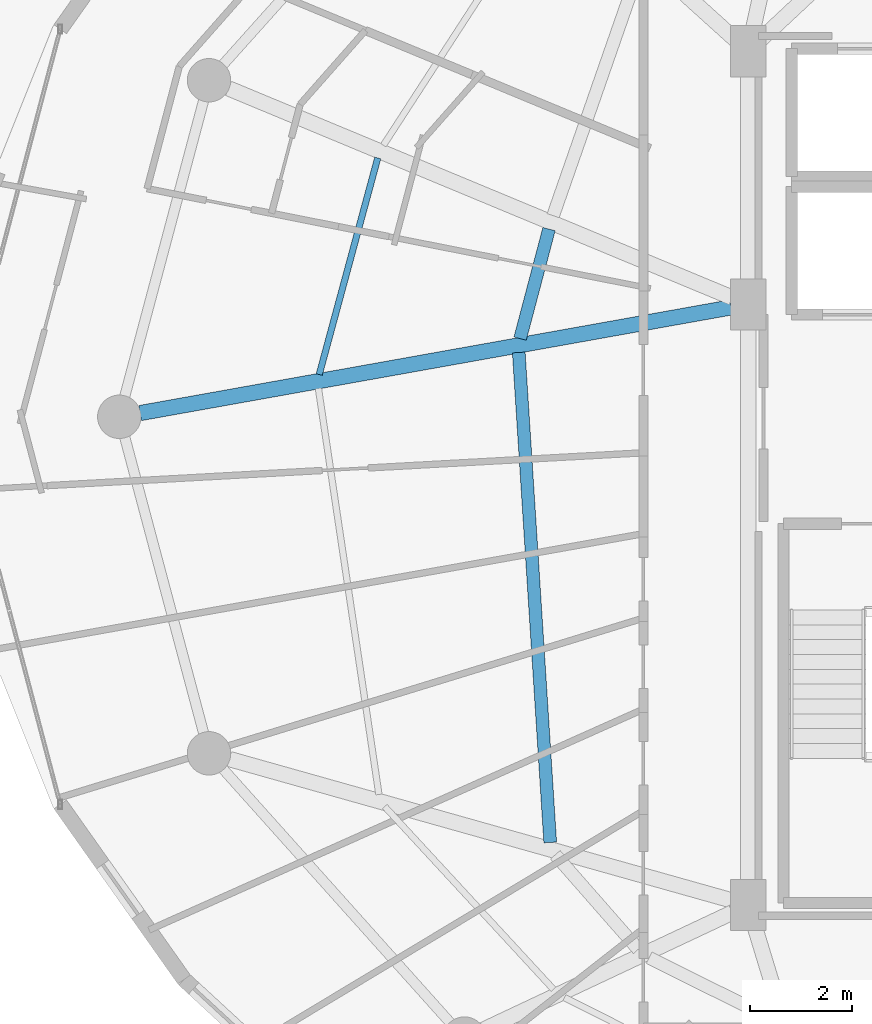
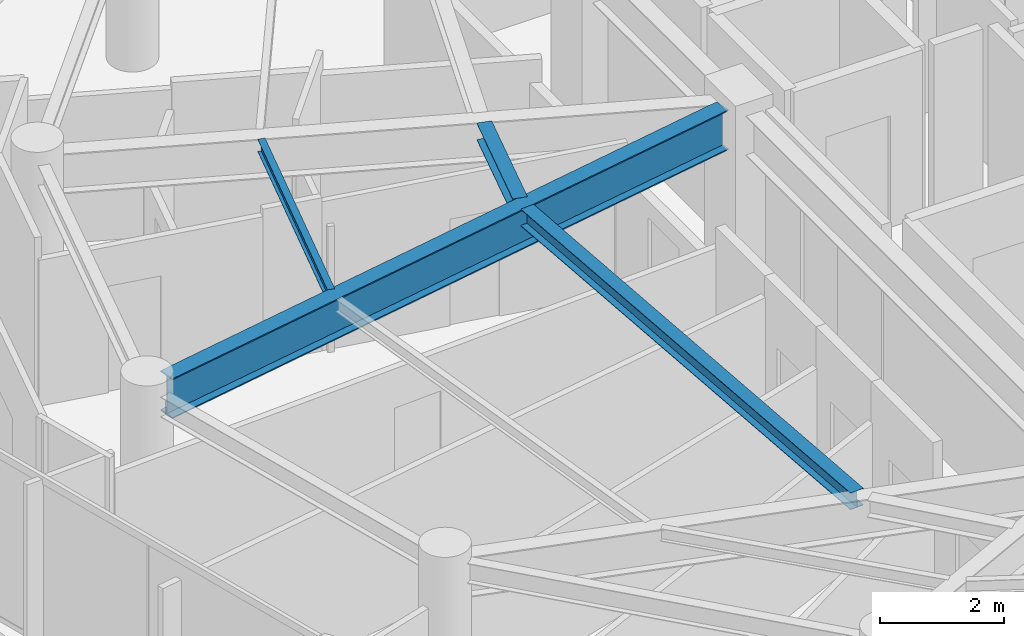
# One storey, part 7 of 29: 4 beams.
"""IFC4 building model written with IfcOpenShell, lengths in metres."""

from ifc_helpers import new_model, si_unit, direction, frame, origin, origin_2d, place, context, subcontext, project, spatial, i_section, extrude, material, material_profile, profile_set, type_object, element, save


model = new_model("IFC4")

# Units and contexts
model_context = context("Model", 3, precision=1e-05, world=origin(), true_north=direction((0.0, 1.0)))
body_context = subcontext(model_context, "Body", "Model", "MODEL_VIEW")
ifc_project = project(units=[si_unit("LENGTHUNIT", "METRE"), si_unit("AREAUNIT", "SQUARE_METRE"), si_unit("VOLUMEUNIT", "CUBIC_METRE"), si_unit("PLANEANGLEUNIT", "RADIAN"), si_unit("MASSUNIT", "GRAM", prefix="KILO")], contexts=[model_context])

# Site, building, storey
site_placement = place(None, origin())
site = spatial("IfcSite", under=ifc_project, at=site_placement, CompositionType="ELEMENT")
building_placement = place(site_placement, origin())
building = spatial("IfcBuilding", under=site, at=building_placement, Name="Vorneva Point Tower", CompositionType="ELEMENT")
storey_placement = place(building_placement, frame((0.0, 0.0, 255.550048828125)))
storey = spatial("IfcBuildingStorey", under=building, at=storey_placement, Name="L69", CompositionType="ELEMENT", Elevation=255.550048828125)

# Beams
ifc_material = material(Name="Steel S355", Category="steel")
ifc_material_profile_1 = material_profile(ifc_material, i_section(OverallWidth=0.300048828125, OverallDepth=0.7880859375, WebThickness=0.014404296875, FlangeThickness=0.02197265625, at=origin_2d()), Name="80Sh1")
ifc_profile_set_1 = profile_set([ifc_material_profile_1], Name="Steel S355")
beam_type_1 = type_object("IfcBeamType", Name="BM-GRD-80Sh1", PredefinedType="USERDEFINED", material=ifc_profile_set_1)
beam_1_placement = place(storey_placement, frame((15.3564453125, 26.07275390625, 2.89599609375), z_axis=(0.9843788355, 0.17606336422, 0.0), x_axis=(-0.17606336422, 0.9843788355, 0.0)))
element("IfcBeam", 1, at=beam_1_placement, inside=storey, type_object=beam_type_1, Name="L69 Radial Primary Girder 09", ObjectType="GIRDER", PredefinedType="USERDEFINED", context=body_context, shape_type="SweptSolid", body=[
    extrude(i_section(OverallWidth=0.300048828125, OverallDepth=0.7880859375, WebThickness=0.014404296875, FlangeThickness=0.02197265625, at=origin_2d()), origin(), (0.0, 0.0, 1.0), 11.7421875),
])
ifc_material_profile_2 = material_profile(ifc_material, i_section(OverallWidth=0.1240234375, OverallDepth=0.248046875, WebThickness=0.0048828125, FlangeThickness=0.008056640625, at=origin_2d()), Name="25B1")
ifc_profile_set_2 = profile_set([ifc_material_profile_2], Name="Steel S355")
beam_type_2 = type_object("IfcBeamType", Name="BM-JST-25B1", PredefinedType="JOIST", material=ifc_profile_set_2)
beam_2_placement = place(storey_placement, frame((20.0048828125, 31.0625, 3.166015625), z_axis=(-0.260871190305, -0.965373617865, 0.0), x_axis=(0.965373617865, -0.260871190305, 0.0)))
element("IfcBeam", 2, at=beam_2_placement, inside=storey, type_object=beam_type_2, Name="L69 Secondary Floor Beam 1.08", PredefinedType="JOIST", context=body_context, shape_type="SweptSolid", body=[
    extrude(i_section(OverallWidth=0.1240234375, OverallDepth=0.248046875, WebThickness=0.0048828125, FlangeThickness=0.008056640625, at=origin_2d()), origin(), (0.0, 0.0, 1.0), 4.38818359375),
])
ifc_material_profile_3 = material_profile(ifc_material, i_section(OverallWidth=0.2490234375, OverallDepth=0.333984375, WebThickness=0.008056640625, FlangeThickness=0.010986328125, at=origin_2d()), Name="35Sh1")
ifc_profile_set_3 = profile_set([ifc_material_profile_3], Name="Steel S355")
beam_type_3 = type_object("IfcBeamType", Name="BM-SEC-35Sh1", PredefinedType="BEAM", material=ifc_profile_set_3)
beam_3_placement = place(storey_placement, frame((23.354736328125, 29.670654296875, 3.123046875), z_axis=(-0.255301687394, -0.9668614422, 0.0), x_axis=(0.9668614422, -0.255301687394, 0.0)))
element("IfcBeam", 3, at=beam_3_placement, inside=storey, type_object=beam_type_3, Name="L69 Secondary Floor Beam 2.08", PredefinedType="BEAM", context=body_context, shape_type="SweptSolid", body=[
    extrude(i_section(OverallWidth=0.2490234375, OverallDepth=0.333984375, WebThickness=0.008056640625, FlangeThickness=0.010986328125, at=origin_2d()), origin(), (0.0, 0.0, 1.0), 2.21484375),
])
beam_4_placement = place(storey_placement, frame((22.762939453125, 27.258056640625, 3.123046875), z_axis=(0.064092343356, -0.997943972136, 0.0), x_axis=(0.997943972136, 0.064092343356, 0.0)))
element("IfcBeam", 4, at=beam_4_placement, inside=storey, type_object=beam_type_3, Name="L69 Secondary Floor Beam 2.09", PredefinedType="BEAM", context=body_context, shape_type="SweptSolid", body=[
    extrude(i_section(OverallWidth=0.2490234375, OverallDepth=0.333984375, WebThickness=0.008056640625, FlangeThickness=0.010986328125, at=origin_2d()), origin(), (0.0, 0.0, 1.0), 9.60302734375),
])

save(model, "model.ifc")
